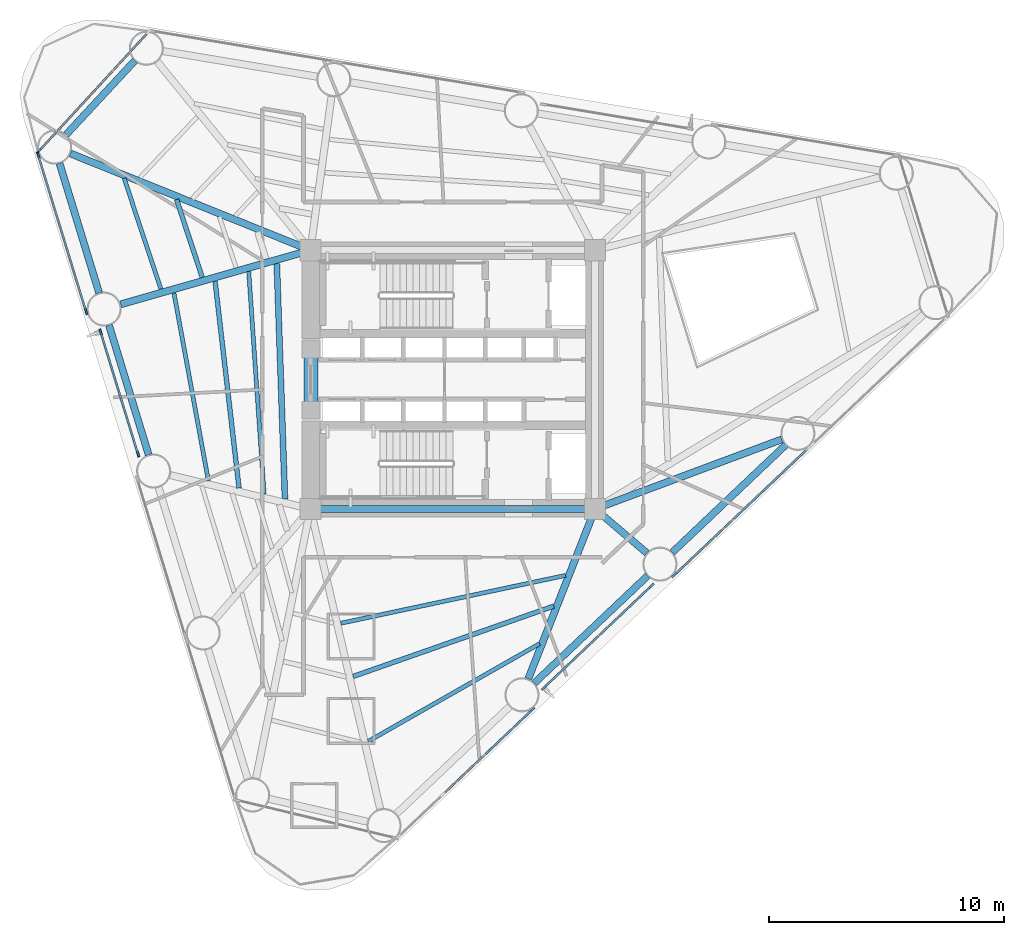
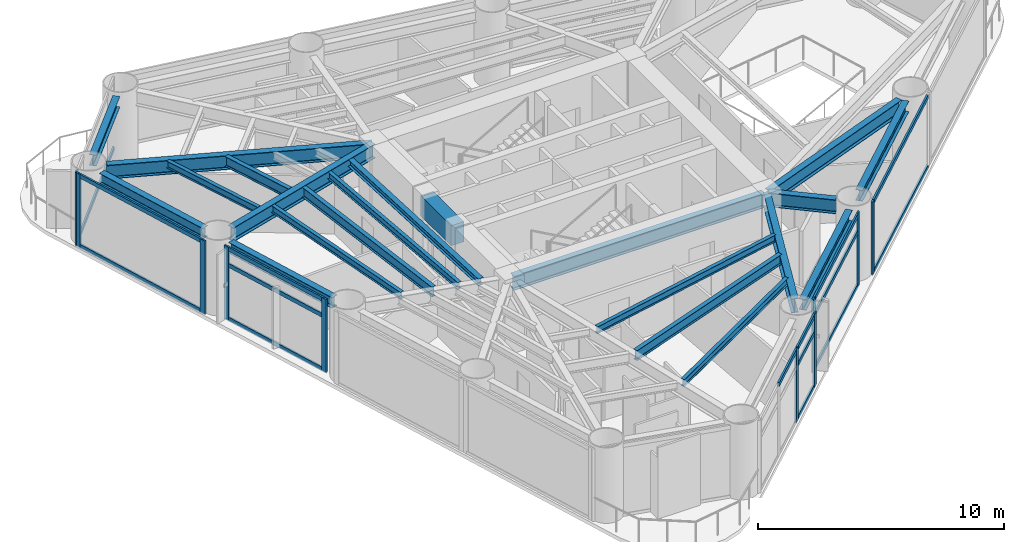
# One storey, part 2 of 10: 25 members, 21 beams, 6 elements without a shape of their own.
"""IFC4 building model written with IfcOpenShell, lengths in metres."""

from ifc_helpers import new_model, si_unit, direction, frame, origin, origin_2d, place, context, subcontext, project, spatial, rectangle, i_section, extrude, source, transform, mapped, material, layer, layer_set, material_profile, profile_set, type_object, element, aggregate, save


model = new_model("IFC4")

# Units and contexts
model_context = context("Model", 3, precision=1e-05, world=origin(), true_north=direction((0.0, 1.0)))
body_context = subcontext(model_context, "Body", "Model", "MODEL_VIEW")
ifc_project = project(units=[si_unit("LENGTHUNIT", "METRE"), si_unit("AREAUNIT", "SQUARE_METRE"), si_unit("VOLUMEUNIT", "CUBIC_METRE"), si_unit("PLANEANGLEUNIT", "RADIAN"), si_unit("MASSUNIT", "GRAM", prefix="KILO")], contexts=[model_context])

# Site, building, storey
site_placement = place(None, origin())
site = spatial("IfcSite", under=ifc_project, at=site_placement, CompositionType="ELEMENT")
building_placement = place(site_placement, origin())
building = spatial("IfcBuilding", under=site, at=building_placement, Name="Yunling Apex Tower", CompositionType="ELEMENT")
storey_placement = place(building_placement, frame((0.0, 0.0, 104.89990234375)))
storey = spatial("IfcBuildingStorey", under=building, at=storey_placement, Name="L26", CompositionType="ELEMENT", Elevation=104.89990234375)

# Beams
ifc_material_1 = material(Name="Concrete C60", Category="concrete")
ifc_material_profile_1 = material_profile(ifc_material_1, rectangle(XDim=0.60009765625, YDim=1.0, at=origin_2d()))
ifc_profile_set_1 = profile_set([ifc_material_profile_1], Name="Concrete C60")
beam_type_1 = type_object("IfcBeamType", Name="BC-CPL-1", PredefinedType="BEAM", material=ifc_profile_set_1)
shared_shape_1 = source(origin(), body_context, "Body", "SweptSolid", [
    extrude(rectangle(XDim=0.60009765625, YDim=1.0, at=origin_2d()), origin(), (0.0, 0.0, 1.0), 2.5),
])
beam_1_placement = place(storey_placement, frame((-6.02490234375, -1.25, 3.065185546875), z_axis=(0.0, 1.0, 0.0), x_axis=(-1.0, 0.0, 0.0)))
element("IfcBeam", 1, at=beam_1_placement, inside=storey, type_object=beam_type_1, Name="L26 Core West Portal Coupling Beam", PredefinedType="BEAM", context=body_context, shape_type="MappedRepresentation", body=[
    mapped(shared_shape_1, transform((0.0, 0.0, 0.0), scale=1.0)),
])
ifc_material_2 = material(Name="Steel Q355B", Category="steel")
ifc_material_profile_2 = material_profile(ifc_material_2, i_section(OverallWidth=0.300048828125, OverallDepth=0.699951171875, WebThickness=0.012939453125, FlangeThickness=0.02392578125, FilletRadius=0.02587890625, at=origin_2d()))
ifc_profile_set_2 = profile_set([ifc_material_profile_2], Name="Steel Q355B")
beam_type_2 = type_object("IfcBeamType", Name="BG-PRI-3", PredefinedType="USERDEFINED", material=ifc_profile_set_2)
shared_shape_2 = source(origin(), body_context, "Body", "SweptSolid", [
    extrude(i_section(OverallWidth=0.300048828125, OverallDepth=0.699951171875, WebThickness=0.012939453125, FlangeThickness=0.02392578125, FilletRadius=0.02587890625, at=origin_2d()), origin(), (0.0, 0.0, 1.0), 11.7998046875),
])
beam_2_placement = place(storey_placement, frame((-5.89990234375, -5.5, 3.215087890625), z_axis=(1.0, 0.0, 0.0), x_axis=(0.0, 1.0, 0.0)))
element("IfcBeam", 2, at=beam_2_placement, inside=storey, type_object=beam_type_2, Name="L26 Core Ring Tie Beam 1", ObjectType="GIRDER", PredefinedType="USERDEFINED", context=body_context, shape_type="MappedRepresentation", body=[
    mapped(shared_shape_2, transform((0.0, 0.0, 0.0), scale=1.0)),
])
ifc_material_profile_3 = material_profile(ifc_material_2, i_section(OverallWidth=0.300048828125, OverallDepth=0.5400390625, WebThickness=0.011962890625, FlangeThickness=0.02001953125, FilletRadius=0.02392578125, at=origin_2d()))
ifc_profile_set_3 = profile_set([ifc_material_profile_3], Name="Steel Q355B")
beam_type_3 = type_object("IfcBeamType", Name="BP-SPN-1", PredefinedType="SPANDREL", material=ifc_profile_set_3)
shared_shape_3 = source(origin(), body_context, "Body", "SweptSolid", [
    extrude(i_section(OverallWidth=0.300048828125, OverallDepth=0.5400390625, WebThickness=0.011962890625, FlangeThickness=0.02001953125, FilletRadius=0.02392578125, at=origin_2d()), origin(), (0.0, 0.0, 1.0), 6.6416015625),
])
for number, where, z_axis, x_axis, name in (
    (3, (3.465087890625, -12.90771484375, 3.295166015625), (0.725873473547, 0.687828249203, 0.0), (-0.687828249203, 0.725873473547, 0.0), "L26 Perimeter Spandrel Beam 2"),
    (4, (9.330078125, -7.35009765625, 3.295166015625), (0.72585608204, 0.687846602205, 0.0), (-0.687846602205, 0.72585608204, 0.0), "L26 Perimeter Spandrel Beam 3"),
):
    element("IfcBeam", number, at=place(storey_placement, frame(where, z_axis=z_axis, x_axis=x_axis)), inside=storey, type_object=beam_type_3, Name=name, PredefinedType="SPANDREL", context=body_context, shape_type="MappedRepresentation", body=[
        mapped(shared_shape_3, transform((0.0, 0.0, 0.0), scale=1.0)),
    ])
shared_shape_4 = source(origin(), body_context, "Body", "SweptSolid", [
    extrude(i_section(OverallWidth=0.300048828125, OverallDepth=0.5400390625, WebThickness=0.011962890625, FlangeThickness=0.02001953125, FilletRadius=0.02392578125, at=origin_2d()), origin(), (0.0, 0.0, 1.0), 4.296875),
])
beam_3_placement = place(storey_placement, frame((-13.513671875, 13.55810546875, 3.295166015625), z_axis=(-0.680634144105, -0.732623478929, 0.0), x_axis=(0.732623478929, -0.680634144105, 0.0)))
element("IfcBeam", 5, at=beam_3_placement, inside=storey, type_object=beam_type_3, Name="L26 Perimeter Spandrel Beam 10", PredefinedType="SPANDREL", context=body_context, shape_type="MappedRepresentation", body=[
    mapped(shared_shape_4, transform((0.0, 0.0, 0.0), scale=1.0)),
])
shared_shape_5 = source(origin(), body_context, "Body", "SweptSolid", [
    extrude(i_section(OverallWidth=0.300048828125, OverallDepth=0.5400390625, WebThickness=0.011962890625, FlangeThickness=0.02001953125, FilletRadius=0.02392578125, at=origin_2d()), origin(), (0.0, 0.0, 1.0), 5.76220703125),
])
for number, where, z_axis, x_axis, name in (
    (6, (-16.71728515625, 9.19580078125, 3.295166015625), (0.292346626925, -0.956312422656, 0.0), (0.956312422656, 0.292346626925, 0.0), "L26 Perimeter Spandrel Beam 11"),
    (7, (-14.6123046875, 2.31005859375, 3.295166015625), (0.292385374143, -0.956300576695, 0.0), (0.956300576695, 0.292385374143, 0.0), "L26 Perimeter Spandrel Beam 12"),
):
    element("IfcBeam", number, at=place(storey_placement, frame(where, z_axis=z_axis, x_axis=x_axis)), inside=storey, type_object=beam_type_3, Name=name, PredefinedType="SPANDREL", context=body_context, shape_type="MappedRepresentation", body=[
        mapped(shared_shape_5, transform((0.0, 0.0, 0.0), scale=1.0)),
    ])
shared_shape_6 = source(origin(), body_context, "Body", "SweptSolid", [
    extrude(i_section(OverallWidth=0.300048828125, OverallDepth=0.699951171875, WebThickness=0.012939453125, FlangeThickness=0.02392578125, FilletRadius=0.02587890625, at=origin_2d()), origin(), (0.0, 0.0, 1.0), 7.67822265625),
])
beam_4_placement = place(storey_placement, frame((3.21142578125, -12.72021484375, 3.215087890625), z_axis=(0.365885513893, 0.930659868439, 0.0), x_axis=(-0.930659868439, 0.365885513893, 0.0)))
element("IfcBeam", 8, at=beam_4_placement, inside=storey, type_object=beam_type_2, Name="L26 Radial Primary Girder R02", ObjectType="GIRDER", PredefinedType="USERDEFINED", context=body_context, shape_type="MappedRepresentation", body=[
    mapped(shared_shape_6, transform((0.0, 0.0, 0.0), scale=1.0)),
])
shared_shape_7 = source(origin(), body_context, "Body", "SweptSolid", [
    extrude(i_section(OverallWidth=0.300048828125, OverallDepth=0.699951171875, WebThickness=0.012939453125, FlangeThickness=0.02392578125, FilletRadius=0.02587890625, at=origin_2d()), origin(), (0.0, 0.0, 1.0), 2.80712890625),
])
beam_5_placement = place(storey_placement, frame((8.24951171875, -7.3701171875, 3.215087890625), z_axis=(-0.761816983267, 0.647792315489, 0.0), x_axis=(-0.647792315489, -0.761816983267, 0.0)))
element("IfcBeam", 9, at=beam_5_placement, inside=storey, type_object=beam_type_2, Name="L26 Radial Primary Girder R03", ObjectType="GIRDER", PredefinedType="USERDEFINED", context=body_context, shape_type="MappedRepresentation", body=[
    mapped(shared_shape_7, transform((0.0, 0.0, 0.0), scale=1.0)),
])
shared_shape_8 = source(origin(), body_context, "Body", "SweptSolid", [
    extrude(i_section(OverallWidth=0.300048828125, OverallDepth=0.699951171875, WebThickness=0.012939453125, FlangeThickness=0.02392578125, FilletRadius=0.02587890625, at=origin_2d()), origin(), (0.0, 0.0, 1.0), 8.388916015625),
])
beam_6_placement = place(storey_placement, frame((13.98583984375, -2.54296875, 3.215087890625), z_axis=(-0.937056723422, -0.349177171489, 0.0), x_axis=(0.349177171489, -0.937056723422, 0.0)))
element("IfcBeam", 10, at=beam_6_placement, inside=storey, type_object=beam_type_2, Name="L26 Radial Primary Girder R04", ObjectType="GIRDER", PredefinedType="USERDEFINED", context=body_context, shape_type="MappedRepresentation", body=[
    mapped(shared_shape_8, transform((0.0, 0.0, 0.0), scale=1.0)),
])
shared_shape_9 = source(origin(), body_context, "Body", "SweptSolid", [
    extrude(i_section(OverallWidth=0.300048828125, OverallDepth=0.699951171875, WebThickness=0.012939453125, FlangeThickness=0.02392578125, FilletRadius=0.02587890625, at=origin_2d()), origin(), (0.0, 0.0, 1.0), 10.91455078125),
])
beam_7_placement = place(storey_placement, frame((-16.247802734375, 9.609375, 3.215087890625), z_axis=(0.927520283233, -0.373772824309, 0.0), x_axis=(0.373772824309, 0.927520283233, 0.0)))
element("IfcBeam", 11, at=beam_7_placement, inside=storey, type_object=beam_type_2, Name="L26 Radial Primary Girder R11", ObjectType="GIRDER", PredefinedType="USERDEFINED", context=body_context, shape_type="MappedRepresentation", body=[
    mapped(shared_shape_9, transform((0.0, 0.0, 0.0), scale=1.0)),
])
shared_shape_10 = source(origin(), body_context, "Body", "SweptSolid", [
    extrude(i_section(OverallWidth=0.300048828125, OverallDepth=0.699951171875, WebThickness=0.012939453125, FlangeThickness=0.02392578125, FilletRadius=0.02587890625, at=origin_2d()), origin(), (0.0, 0.0, 1.0), 8.309326171875),
])
beam_8_placement = place(storey_placement, frame((-14.117431640625, 3.19873046875, 3.215087890625), z_axis=(0.961641387397, 0.274309755652, 0.0), x_axis=(-0.274309755652, 0.961641387397, 0.0)))
element("IfcBeam", 12, at=beam_8_placement, inside=storey, type_object=beam_type_2, Name="L26 Radial Primary Girder R12", ObjectType="GIRDER", PredefinedType="USERDEFINED", context=body_context, shape_type="MappedRepresentation", body=[
    mapped(shared_shape_10, transform((0.0, 0.0, 0.0), scale=1.0)),
])
ifc_material_profile_4 = material_profile(ifc_material_2, i_section(OverallWidth=0.199951171875, OverallDepth=0.5, WebThickness=0.010009765625, FlangeThickness=0.01611328125, FilletRadius=0.02001953125, at=origin_2d()))
ifc_profile_set_4 = profile_set([ifc_material_profile_4], Name="Steel Q355B")
beam_type_4 = type_object("IfcBeamType", Name="BS-SEC-2", PredefinedType="BEAM", material=ifc_profile_set_4)
shared_shape_11 = source(origin(), body_context, "Body", "SweptSolid", [
    extrude(i_section(OverallWidth=0.199951171875, OverallDepth=0.5, WebThickness=0.010009765625, FlangeThickness=0.01611328125, FilletRadius=0.02001953125, at=origin_2d()), origin(), (0.0, 0.0, 1.0), 9.03759765625),
])
beam_9_placement = place(storey_placement, frame((-4.23193359375, -12.619140625, 3.315185546875), z_axis=(0.943677540759, 0.330866588018, 0.0), x_axis=(-0.330866588018, 0.943677540759, 0.0)))
element("IfcBeam", 13, at=beam_9_placement, inside=storey, type_object=beam_type_4, Name="L26 Composite Floor Beam BS-1", PredefinedType="BEAM", context=body_context, shape_type="MappedRepresentation", body=[
    mapped(shared_shape_11, transform((0.0, 0.0, 0.0), scale=1.0)),
])
ifc_material_profile_5 = material_profile(ifc_material_2, i_section(OverallWidth=0.175048828125, OverallDepth=0.35009765625, WebThickness=0.007080078125, FlangeThickness=0.010986328125, FilletRadius=0.013916015625, at=origin_2d()))
ifc_profile_set_5 = profile_set([ifc_material_profile_5], Name="Steel Q355B")
beam_type_5 = type_object("IfcBeamType", Name="BJ-JST-1", PredefinedType="JOIST", material=ifc_profile_set_5)
shared_shape_12 = source(origin(), body_context, "Body", "SweptSolid", [
    extrude(i_section(OverallWidth=0.175048828125, OverallDepth=0.35009765625, WebThickness=0.007080078125, FlangeThickness=0.010986328125, FilletRadius=0.013916015625, at=origin_2d()), origin(), (0.0, 0.0, 1.0), 8.38671875),
])
beam_10_placement = place(storey_placement, frame((-3.59619140625, -15.3798828125, 3.39013671875), z_axis=(0.868817593772, 0.495132294192, 0.0), x_axis=(-0.495132294192, 0.868817593772, 0.0)))
element("IfcBeam", 14, at=beam_10_placement, inside=storey, type_object=beam_type_5, Name="L26 Composite Floor Joist BJ1-1", PredefinedType="JOIST", context=body_context, shape_type="MappedRepresentation", body=[
    mapped(shared_shape_12, transform((0.0, 0.0, 0.0), scale=1.0)),
])
shared_shape_13 = source(origin(), body_context, "Body", "SweptSolid", [
    extrude(i_section(OverallWidth=0.175048828125, OverallDepth=0.35009765625, WebThickness=0.007080078125, FlangeThickness=0.010986328125, FilletRadius=0.013916015625, at=origin_2d()), origin(), (0.0, 0.0, 1.0), 9.767578125),
])
beam_11_placement = place(storey_placement, frame((-4.756591796875, -10.3583984375, 3.39013671875), z_axis=(0.978052637888, 0.208357955263, 0.0), x_axis=(-0.208357955263, 0.978052637888, 0.0)))
element("IfcBeam", 15, at=beam_11_placement, inside=storey, type_object=beam_type_5, Name="L26 Composite Floor Joist BJ3-1", PredefinedType="JOIST", context=body_context, shape_type="MappedRepresentation", body=[
    mapped(shared_shape_13, transform((0.0, 0.0, 0.0), scale=1.0)),
])
shared_shape_14 = source(origin(), body_context, "Body", "SweptSolid", [
    extrude(i_section(OverallWidth=0.199951171875, OverallDepth=0.5, WebThickness=0.010009765625, FlangeThickness=0.01611328125, FilletRadius=0.02001953125, at=origin_2d()), origin(), (0.0, 0.0, 1.0), 3.484130859375),
])
beam_12_placement = place(storey_placement, frame((-11.7431640625, 7.662353515625, 3.315185546875), z_axis=(0.313220106306, -0.949680559455, 0.0), x_axis=(0.949680559455, 0.313220106306, 0.0)))
element("IfcBeam", 16, at=beam_12_placement, inside=storey, type_object=beam_type_4, Name="L26 Composite Floor Beam BS-11", PredefinedType="BEAM", context=body_context, shape_type="MappedRepresentation", body=[
    mapped(shared_shape_14, transform((0.0, 0.0, 0.0), scale=1.0)),
])
shared_shape_15 = source(origin(), body_context, "Body", "SweptSolid", [
    extrude(i_section(OverallWidth=0.175048828125, OverallDepth=0.35009765625, WebThickness=0.007080078125, FlangeThickness=0.010986328125, FilletRadius=0.013916015625, at=origin_2d()), origin(), (0.0, 0.0, 1.0), 4.959716796875),
])
beam_13_placement = place(storey_placement, frame((-13.97021484375, 8.56005859375, 3.39013671875), z_axis=(0.314588147489, -0.949228264149, 0.0), x_axis=(0.949228264149, 0.314588147489, 0.0)))
element("IfcBeam", 17, at=beam_13_placement, inside=storey, type_object=beam_type_5, Name="L26 Composite Floor Joist BJ1-11", PredefinedType="JOIST", context=body_context, shape_type="MappedRepresentation", body=[
    mapped(shared_shape_15, transform((0.0, 0.0, 0.0), scale=1.0)),
])
shared_shape_16 = source(origin(), body_context, "Body", "SweptSolid", [
    extrude(i_section(OverallWidth=0.199951171875, OverallDepth=0.5, WebThickness=0.010009765625, FlangeThickness=0.01611328125, FilletRadius=0.02001953125, at=origin_2d()), origin(), (0.0, 0.0, 1.0), 8.85009765625),
])
beam_14_placement = place(storey_placement, frame((-10.103759765625, 4.179443359375, 3.315185546875), z_axis=(0.115144483353, -0.993348754443, 0.0), x_axis=(0.993348754443, 0.115144483353, 0.0)))
element("IfcBeam", 18, at=beam_14_placement, inside=storey, type_object=beam_type_4, Name="L26 Composite Floor Beam BS-12", PredefinedType="BEAM", context=body_context, shape_type="MappedRepresentation", body=[
    mapped(shared_shape_16, transform((0.0, 0.0, 0.0), scale=1.0)),
])
shared_shape_17 = source(origin(), body_context, "Body", "SweptSolid", [
    extrude(i_section(OverallWidth=0.175048828125, OverallDepth=0.35009765625, WebThickness=0.007080078125, FlangeThickness=0.010986328125, FilletRadius=0.013916015625, at=origin_2d()), origin(), (0.0, 0.0, 1.0), 8.113525390625),
])
beam_15_placement = place(storey_placement, frame((-11.851318359375, 3.6796875, 3.39013671875), z_axis=(0.180333691295, -0.983605489912, 0.0), x_axis=(0.983605489912, 0.180333691295, 0.0)))
element("IfcBeam", 19, at=beam_15_placement, inside=storey, type_object=beam_type_5, Name="L26 Composite Floor Joist BJ1-12", PredefinedType="JOIST", context=body_context, shape_type="MappedRepresentation", body=[
    mapped(shared_shape_17, transform((0.0, 0.0, 0.0), scale=1.0)),
])
shared_shape_18 = source(origin(), body_context, "Body", "SweptSolid", [
    extrude(i_section(OverallWidth=0.175048828125, OverallDepth=0.35009765625, WebThickness=0.007080078125, FlangeThickness=0.010986328125, FilletRadius=0.013916015625, at=origin_2d()), origin(), (0.0, 0.0, 1.0), 9.478515625),
])
beam_16_placement = place(storey_placement, frame((-8.6728515625, 4.589111328125, 3.39013671875), z_axis=(0.068925846819, -0.997621785869, 0.0), x_axis=(0.997621785869, 0.068925846819, 0.0)))
element("IfcBeam", 20, at=beam_16_placement, inside=storey, type_object=beam_type_5, Name="L26 Composite Floor Joist BJ3-12", PredefinedType="JOIST", context=body_context, shape_type="MappedRepresentation", body=[
    mapped(shared_shape_18, transform((0.0, 0.0, 0.0), scale=1.0)),
])
ifc_material_profile_6 = material_profile(ifc_material_2, i_section(OverallWidth=0.25, OverallDepth=0.340087890625, WebThickness=0.009033203125, FlangeThickness=0.013916015625, FilletRadius=0.01806640625, at=origin_2d()))
ifc_profile_set_6 = profile_set([ifc_material_profile_6], Name="Steel Q355B")
beam_type_6 = type_object("IfcBeamType", Name="BJ-JST-2", PredefinedType="JOIST", material=ifc_profile_set_6)
shared_shape_19 = source(origin(), body_context, "Body", "SweptSolid", [
    extrude(i_section(OverallWidth=0.25, OverallDepth=0.340087890625, WebThickness=0.009033203125, FlangeThickness=0.013916015625, FilletRadius=0.01806640625, at=origin_2d()), origin(), (0.0, 0.0, 1.0), 10.016357421875),
])
beam_17_placement = place(storey_placement, frame((-7.479736328125, 4.9306640625, 3.39501953125), z_axis=(0.034684741857, -0.999398303322, 0.0), x_axis=(0.999398303322, 0.034684741857, 0.0)))
element("IfcBeam", 21, at=beam_17_placement, inside=storey, type_object=beam_type_6, Name="L26 Composite Floor Joist BJ2-12", PredefinedType="JOIST", context=body_context, shape_type="MappedRepresentation", body=[
    mapped(shared_shape_19, transform((0.0, 0.0, 0.0), scale=1.0)),
])

# Curtain wall, members
ifc_material_3 = material(Name="Bronze anodised aluminium", Category="aluminium")
ifc_layer = layer(ifc_material_3, 0.260009765625)
ifc_layer_set = layer_set([ifc_layer], Name="Bronze anodised aluminium")
curtain_wall_type = type_object("IfcCurtainWallType", Name="CW-SYS-2", PredefinedType="NOTDEFINED", material=ifc_layer_set)
curtain_wall_1_placement = place(storey_placement, origin())
curtain_wall_1 = element("IfcCurtainWall", 22, at=curtain_wall_1_placement, inside=storey, type_object=curtain_wall_type, Name="CW-L26-F1-B1", PredefinedType="NOTDEFINED")
ifc_material_profile_7 = material_profile(ifc_material_3, rectangle(XDim=0.0849609375, YDim=0.260009765625, at=origin_2d()))
ifc_profile_set_7 = profile_set([ifc_material_profile_7], Name="Bronze anodised aluminium")
member_type_1 = type_object("IfcMemberType", Name="CW-MUL-2", PredefinedType="MULLION", material=ifc_profile_set_7)
shared_shape_20 = source(origin(), body_context, "Body", "SweptSolid", [
    extrude(rectangle(XDim=0.0849609375, YDim=0.260009765625, at=origin_2d()), origin(), (0.0, 0.0, 1.0), 3.664794921875),
])
member_1_placement = place(storey_placement, frame((1.491943359375, -15.824951171875, -0.0498046875), z_axis=(0.0, 0.0, 1.0), x_axis=(-0.687861264918, 0.72584218686, 0.0)))
member_1 = element("IfcMember", 23, at=member_1_placement, type_object=member_type_1, Name="CW-SYS-2 mullion 3", PredefinedType="MULLION", context=body_context, shape_type="MappedRepresentation", body=[
    mapped(shared_shape_20, transform((0.0, 0.0, 0.0), scale=1.0)),
])
member_2_placement = place(storey_placement, frame((3.377197265625, -14.038330078125, -0.0498046875), z_axis=(0.0, 0.0, 1.0), x_axis=(-0.687861264918, 0.72584218686, 0.0)))
member_2 = element("IfcMember", 24, at=member_2_placement, type_object=member_type_1, Name="CW-SYS-2 mullion 4", PredefinedType="MULLION", context=body_context, shape_type="MappedRepresentation", body=[
    mapped(shared_shape_20, transform((0.0, 0.0, 0.0), scale=1.0)),
])

curtain_wall_2_placement = place(storey_placement, origin())
curtain_wall_2 = element("IfcCurtainWall", 25, at=curtain_wall_2_placement, inside=storey, type_object=curtain_wall_type, Name="CW-L26-F1-B2", PredefinedType="NOTDEFINED")
member_3_placement = place(storey_placement, frame((3.87646484375, -13.096923828125, -0.0498046875), z_axis=(0.0, 0.0, 1.0), x_axis=(-0.687844480924, 0.725858092234, 0.0)))
member_3 = element("IfcMember", 26, at=member_3_placement, type_object=member_type_1, Name="CW-SYS-2 mullion 1", PredefinedType="MULLION", context=body_context, shape_type="MappedRepresentation", body=[
    mapped(shared_shape_20, transform((0.0, 0.0, 0.0), scale=1.0)),
])
member_4_placement = place(storey_placement, frame((8.452880859375, -8.76025390625, -0.0498046875), z_axis=(0.0, 0.0, 1.0), x_axis=(-0.687844480924, 0.725858092234, 0.0)))
member_4 = element("IfcMember", 27, at=member_4_placement, type_object=member_type_1, Name="CW-SYS-2 mullion 2", PredefinedType="MULLION", context=body_context, shape_type="MappedRepresentation", body=[
    mapped(shared_shape_20, transform((0.0, 0.0, 0.0), scale=1.0)),
])

# Curtain wall, member
curtain_wall_3_placement = place(storey_placement, origin())
curtain_wall_3 = element("IfcCurtainWall", 28, at=curtain_wall_3_placement, inside=storey, type_object=curtain_wall_type, Name="CW-L26-F1-B3", PredefinedType="NOTDEFINED")
member_5_placement = place(storey_placement, frame((9.419921875, -8.312255859375, -0.0498046875), z_axis=(0.0, 0.0, 1.0), x_axis=(-0.687861264918, 0.72584218686, 0.0)))
member_5 = element("IfcMember", 29, at=member_5_placement, type_object=member_type_1, Name="CW-SYS-2 mullion 1", PredefinedType="MULLION", context=body_context, shape_type="MappedRepresentation", body=[
    mapped(shared_shape_20, transform((0.0, 0.0, 0.0), scale=1.0)),
])

curtain_wall_4_placement = place(storey_placement, origin())
curtain_wall_4 = element("IfcCurtainWall", 30, at=curtain_wall_4_placement, inside=storey, type_object=curtain_wall_type, Name="CW-L26-CRN2", PredefinedType="NOTDEFINED")
member_6_placement = place(storey_placement, frame((-17.6064453125, 9.6982421875, -0.0498046875), z_axis=(0.0, 0.0, 1.0), x_axis=(0.736184624933, -0.676780760669, 0.0)))
member_6 = element("IfcMember", 31, at=member_6_placement, type_object=member_type_1, Name="CW-SYS-2 mullion 2", PredefinedType="MULLION", context=body_context, shape_type="MappedRepresentation", body=[
    mapped(shared_shape_20, transform((0.0, 0.0, 0.0), scale=1.0)),
])

# Curtain wall, members
curtain_wall_5_placement = place(storey_placement, origin())
curtain_wall_5 = element("IfcCurtainWall", 32, at=curtain_wall_5_placement, inside=storey, type_object=curtain_wall_type, Name="CW-L26-F3-B1", PredefinedType="NOTDEFINED")
member_7_placement = place(storey_placement, frame((-17.61865234375, 9.5439453125, -0.0498046875), z_axis=(0.0, 0.0, 1.0), x_axis=(0.956304476342, 0.292372619321, 0.0)))
member_7 = element("IfcMember", 33, at=member_7_placement, type_object=member_type_1, Name="CW-SYS-2 mullion 1", PredefinedType="MULLION", context=body_context, shape_type="MappedRepresentation", body=[
    mapped(shared_shape_20, transform((0.0, 0.0, 0.0), scale=1.0)),
])
member_8_placement = place(storey_placement, frame((-15.5849609375, 2.892578125, -0.0498046875), z_axis=(0.0, 0.0, 1.0), x_axis=(0.956304476342, 0.292372619321, 0.0)))
member_8 = element("IfcMember", 34, at=member_8_placement, type_object=member_type_1, Name="CW-SYS-2 mullion 2", PredefinedType="MULLION", context=body_context, shape_type="MappedRepresentation", body=[
    mapped(shared_shape_20, transform((0.0, 0.0, 0.0), scale=1.0)),
])

curtain_wall_6_placement = place(storey_placement, origin())
curtain_wall_6 = element("IfcCurtainWall", 35, at=curtain_wall_6_placement, inside=storey, type_object=curtain_wall_type, Name="CW-L26-F3-B2", PredefinedType="NOTDEFINED")
member_9_placement = place(storey_placement, frame((-14.964599609375, 2.026123046875, -0.0498046875), z_axis=(0.0, 0.0, 1.0), x_axis=(0.956307182672, 0.292363767199, 0.0)))
member_9 = element("IfcMember", 36, at=member_9_placement, type_object=member_type_1, Name="CW-SYS-2 mullion 1", PredefinedType="MULLION", context=body_context, shape_type="MappedRepresentation", body=[
    mapped(shared_shape_20, transform((0.0, 0.0, 0.0), scale=1.0)),
])
member_10_placement = place(storey_placement, frame((-13.37841796875, -3.162109375, -0.0498046875), z_axis=(0.0, 0.0, 1.0), x_axis=(0.956307182672, 0.292363767199, 0.0)))
member_10 = element("IfcMember", 37, at=member_10_placement, type_object=member_type_1, Name="CW-SYS-2 mullion 2", PredefinedType="MULLION", context=body_context, shape_type="MappedRepresentation", body=[
    mapped(shared_shape_20, transform((0.0, 0.0, 0.0), scale=1.0)),
])

# Member
ifc_material_profile_8 = material_profile(ifc_material_3, rectangle(XDim=0.0849609375, YDim=0.199951171875, at=origin_2d()))
ifc_profile_set_8 = profile_set([ifc_material_profile_8], Name="Bronze anodised aluminium")
member_type_2 = type_object("IfcMemberType", Name="CW-TRN-2", PredefinedType="USERDEFINED", material=ifc_profile_set_8)
shared_shape_21 = source(origin(), body_context, "Body", "SweptSolid", [
    extrude(rectangle(XDim=0.0849609375, YDim=0.199951171875, at=origin_2d()), origin(), (0.0, 0.0, 1.0), 2.563232421875),
])
member_11_placement = place(storey_placement, frame((-0.396484375, -17.614501953125, 3.522705078125), z_axis=(0.725852566003, 0.687850312515, 0.0), x_axis=(-0.687850312515, 0.725852566003, 0.0)))
member_11 = element("IfcMember", 38, at=member_11_placement, type_object=member_type_2, Name="CW-SYS-2 transom 2.3", ObjectType="TRANSOM", PredefinedType="USERDEFINED", context=body_context, shape_type="MappedRepresentation", body=[
    mapped(shared_shape_21, transform((0.0, 0.0, 0.0), scale=1.0)),
])

shared_shape_22 = source(origin(), body_context, "Body", "SweptSolid", [
    extrude(rectangle(XDim=0.0849609375, YDim=0.199951171875, at=origin_2d()), origin(), (0.0, 0.0, 1.0), 2.520751953125),
])
member_12_placement = place(storey_placement, frame((1.51953125, -15.798583984375, 0.04248046875), z_axis=(0.725881421947, 0.687819861063, 0.0), x_axis=(-0.687819861063, 0.725881421947, 0.0)))
member_12 = element("IfcMember", 39, at=member_12_placement, type_object=member_type_2, Name="CW-SYS-2 transom 3.1", ObjectType="TRANSOM", PredefinedType="USERDEFINED", context=body_context, shape_type="MappedRepresentation", body=[
    mapped(shared_shape_22, transform((0.0, 0.0, 0.0), scale=1.0)),
])

member_13_placement = place(storey_placement, frame((1.51953125, -15.798583984375, 2.715087890625), z_axis=(0.725881421947, 0.687819861063, 0.0), x_axis=(-0.687819861063, 0.725881421947, 0.0)))
member_13 = element("IfcMember", 40, at=member_13_placement, type_object=member_type_2, Name="CW-SYS-2 transom 3.2", ObjectType="TRANSOM", PredefinedType="USERDEFINED", context=body_context, shape_type="MappedRepresentation", body=[
    mapped(shared_shape_22, transform((0.0, 0.0, 0.0), scale=1.0)),
])

member_14_placement = place(storey_placement, frame((1.51953125, -15.798583984375, 3.522705078125), z_axis=(0.725881421947, 0.687819861063, 0.0), x_axis=(-0.687819861063, 0.725881421947, 0.0)))
member_14 = element("IfcMember", 41, at=member_14_placement, type_object=member_type_2, Name="CW-SYS-2 transom 3.3", ObjectType="TRANSOM", PredefinedType="USERDEFINED", context=body_context, shape_type="MappedRepresentation", body=[
    mapped(shared_shape_22, transform((0.0, 0.0, 0.0), scale=1.0)),
])

aggregate(curtain_wall_1, [member_1, member_2, member_11, member_12, member_13, member_14])

shared_shape_23 = source(origin(), body_context, "Body", "SweptSolid", [
    extrude(rectangle(XDim=0.0849609375, YDim=0.199951171875, at=origin_2d()), origin(), (0.0, 0.0, 1.0), 6.228271484375),
])
member_15_placement = place(storey_placement, frame((3.904296875, -13.070556640625, 0.04248046875), z_axis=(0.725843490466, 0.687859889329, 0.0), x_axis=(-0.687859889329, 0.725843490466, 0.0)))
member_15 = element("IfcMember", 42, at=member_15_placement, type_object=member_type_2, Name="CW-SYS-2 transom 1.1", ObjectType="TRANSOM", PredefinedType="USERDEFINED", context=body_context, shape_type="MappedRepresentation", body=[
    mapped(shared_shape_23, transform((0.0, 0.0, 0.0), scale=1.0)),
])

member_16_placement = place(storey_placement, frame((3.904296875, -13.070556640625, 2.715087890625), z_axis=(0.725843490466, 0.687859889329, 0.0), x_axis=(-0.687859889329, 0.725843490466, 0.0)))
member_16 = element("IfcMember", 43, at=member_16_placement, type_object=member_type_2, Name="CW-SYS-2 transom 1.2", ObjectType="TRANSOM", PredefinedType="USERDEFINED", context=body_context, shape_type="MappedRepresentation", body=[
    mapped(shared_shape_23, transform((0.0, 0.0, 0.0), scale=1.0)),
])

member_17_placement = place(storey_placement, frame((3.904296875, -13.070556640625, 3.522705078125), z_axis=(0.725843490466, 0.687859889329, 0.0), x_axis=(-0.687859889329, 0.725843490466, 0.0)))
member_17 = element("IfcMember", 44, at=member_17_placement, type_object=member_type_2, Name="CW-SYS-2 transom 1.3", ObjectType="TRANSOM", PredefinedType="USERDEFINED", context=body_context, shape_type="MappedRepresentation", body=[
    mapped(shared_shape_23, transform((0.0, 0.0, 0.0), scale=1.0)),
])

aggregate(curtain_wall_2, [member_3, member_4, member_15, member_16, member_17])

shared_shape_24 = source(origin(), body_context, "Body", "SweptSolid", [
    extrude(rectangle(XDim=0.0849609375, YDim=0.199951171875, at=origin_2d()), origin(), (0.0, 0.0, 1.0), 7.75830078125),
])
member_18_placement = place(storey_placement, frame((9.447509765625, -8.285888671875, 0.04248046875), z_axis=(0.725858408627, 0.687844147046, 0.0), x_axis=(-0.687844147046, 0.725858408627, 0.0)))
member_18 = element("IfcMember", 45, at=member_18_placement, type_object=member_type_2, Name="CW-SYS-2 transom 1.1", ObjectType="TRANSOM", PredefinedType="USERDEFINED", context=body_context, shape_type="MappedRepresentation", body=[
    mapped(shared_shape_24, transform((0.0, 0.0, 0.0), scale=1.0)),
])

member_19_placement = place(storey_placement, frame((9.447509765625, -8.285888671875, 3.522705078125), z_axis=(0.725858408627, 0.687844147046, 0.0), x_axis=(-0.687844147046, 0.725858408627, 0.0)))
member_19 = element("IfcMember", 46, at=member_19_placement, type_object=member_type_2, Name="CW-SYS-2 transom 1.2", ObjectType="TRANSOM", PredefinedType="USERDEFINED", context=body_context, shape_type="MappedRepresentation", body=[
    mapped(shared_shape_24, transform((0.0, 0.0, 0.0), scale=1.0)),
])

aggregate(curtain_wall_3, [member_5, member_18, member_19])

shared_shape_25 = source(origin(), body_context, "Body", "SweptSolid", [
    extrude(rectangle(XDim=0.0849609375, YDim=0.199951171875, at=origin_2d()), origin(), (0.0, 0.0, 1.0), 6.831298828125),
])
member_20_placement = place(storey_placement, frame((-12.957275390625, 14.755615234375, 0.04248046875), z_axis=(-0.676783953504, -0.73618168972, 0.0), x_axis=(0.73618168972, -0.676783953504, 0.0)))
member_20 = element("IfcMember", 47, at=member_20_placement, type_object=member_type_2, Name="CW-SYS-2 transom 1.1", ObjectType="TRANSOM", PredefinedType="USERDEFINED", context=body_context, shape_type="MappedRepresentation", body=[
    mapped(shared_shape_25, transform((0.0, 0.0, 0.0), scale=1.0)),
])

aggregate(curtain_wall_4, [member_6, member_20])

shared_shape_26 = source(origin(), body_context, "Body", "SweptSolid", [
    extrude(rectangle(XDim=0.0849609375, YDim=0.199951171875, at=origin_2d()), origin(), (0.0, 0.0, 1.0), 6.878662109375),
])
member_21_placement = place(storey_placement, frame((-17.607421875, 9.50732421875, 0.04248046875), z_axis=(0.29238444517, -0.956300860725, 0.0), x_axis=(0.956300860725, 0.29238444517, 0.0)))
member_21 = element("IfcMember", 48, at=member_21_placement, type_object=member_type_2, Name="CW-SYS-2 transom 1.1", ObjectType="TRANSOM", PredefinedType="USERDEFINED", context=body_context, shape_type="MappedRepresentation", body=[
    mapped(shared_shape_26, transform((0.0, 0.0, 0.0), scale=1.0)),
])

member_22_placement = place(storey_placement, frame((-17.607421875, 9.50732421875, 3.522705078125), z_axis=(0.29238444517, -0.956300860725, 0.0), x_axis=(0.956300860725, 0.29238444517, 0.0)))
member_22 = element("IfcMember", 49, at=member_22_placement, type_object=member_type_2, Name="CW-SYS-2 transom 1.2", ObjectType="TRANSOM", PredefinedType="USERDEFINED", context=body_context, shape_type="MappedRepresentation", body=[
    mapped(shared_shape_26, transform((0.0, 0.0, 0.0), scale=1.0)),
])

aggregate(curtain_wall_5, [member_7, member_8, member_21, member_22])

shared_shape_27 = source(origin(), body_context, "Body", "SweptSolid", [
    extrude(rectangle(XDim=0.0849609375, YDim=0.199951171875, at=origin_2d()), origin(), (0.0, 0.0, 1.0), 5.3486328125),
])
member_23_placement = place(storey_placement, frame((-14.953369140625, 1.989501953125, 0.04248046875), z_axis=(0.292356530711, -0.956309394992, 0.0), x_axis=(0.956309394992, 0.292356530711, 0.0)))
member_23 = element("IfcMember", 50, at=member_23_placement, type_object=member_type_2, Name="CW-SYS-2 transom 1.1", ObjectType="TRANSOM", PredefinedType="USERDEFINED", context=body_context, shape_type="MappedRepresentation", body=[
    mapped(shared_shape_27, transform((0.0, 0.0, 0.0), scale=1.0)),
])

member_24_placement = place(storey_placement, frame((-14.953369140625, 1.989501953125, 2.715087890625), z_axis=(0.292356530711, -0.956309394992, 0.0), x_axis=(0.956309394992, 0.292356530711, 0.0)))
member_24 = element("IfcMember", 51, at=member_24_placement, type_object=member_type_2, Name="CW-SYS-2 transom 1.2", ObjectType="TRANSOM", PredefinedType="USERDEFINED", context=body_context, shape_type="MappedRepresentation", body=[
    mapped(shared_shape_27, transform((0.0, 0.0, 0.0), scale=1.0)),
])

member_25_placement = place(storey_placement, frame((-14.953369140625, 1.989501953125, 3.522705078125), z_axis=(0.292356530711, -0.956309394992, 0.0), x_axis=(0.956309394992, 0.292356530711, 0.0)))
member_25 = element("IfcMember", 52, at=member_25_placement, type_object=member_type_2, Name="CW-SYS-2 transom 1.3", ObjectType="TRANSOM", PredefinedType="USERDEFINED", context=body_context, shape_type="MappedRepresentation", body=[
    mapped(shared_shape_27, transform((0.0, 0.0, 0.0), scale=1.0)),
])

aggregate(curtain_wall_6, [member_9, member_10, member_23, member_24, member_25])

save(model, "model.ifc")
